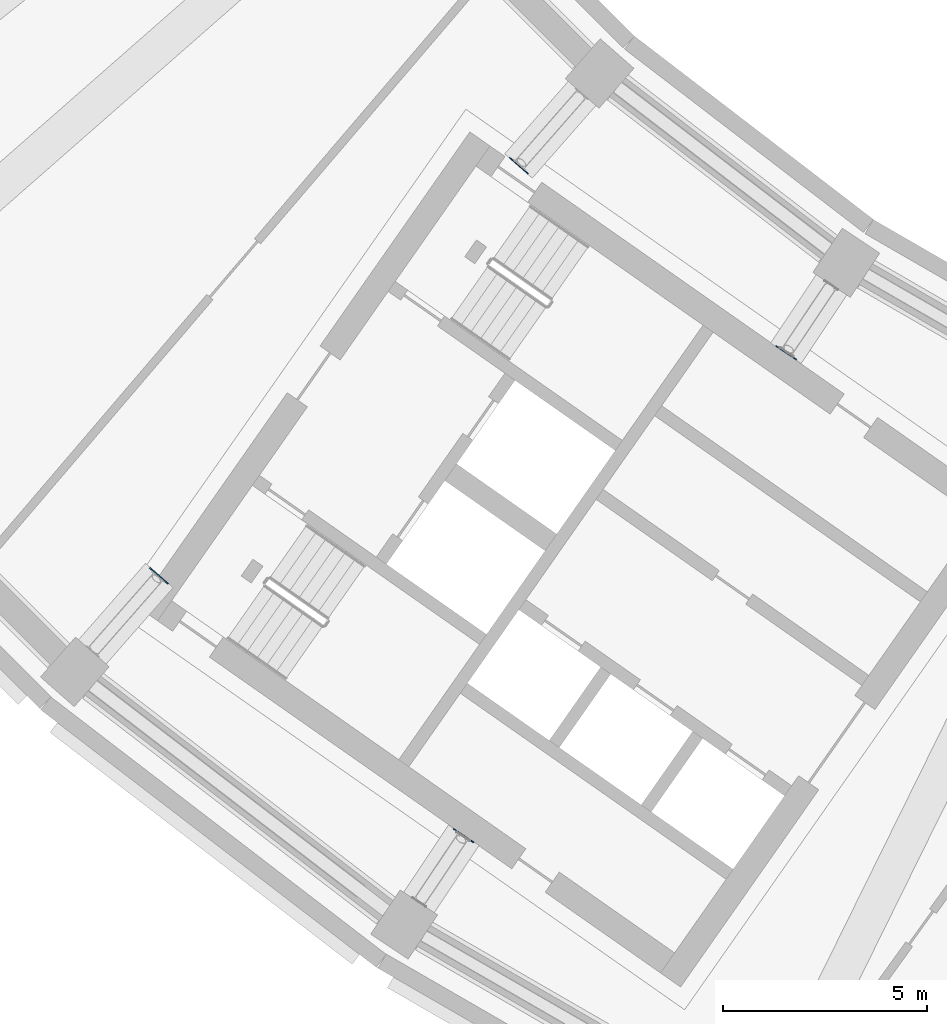
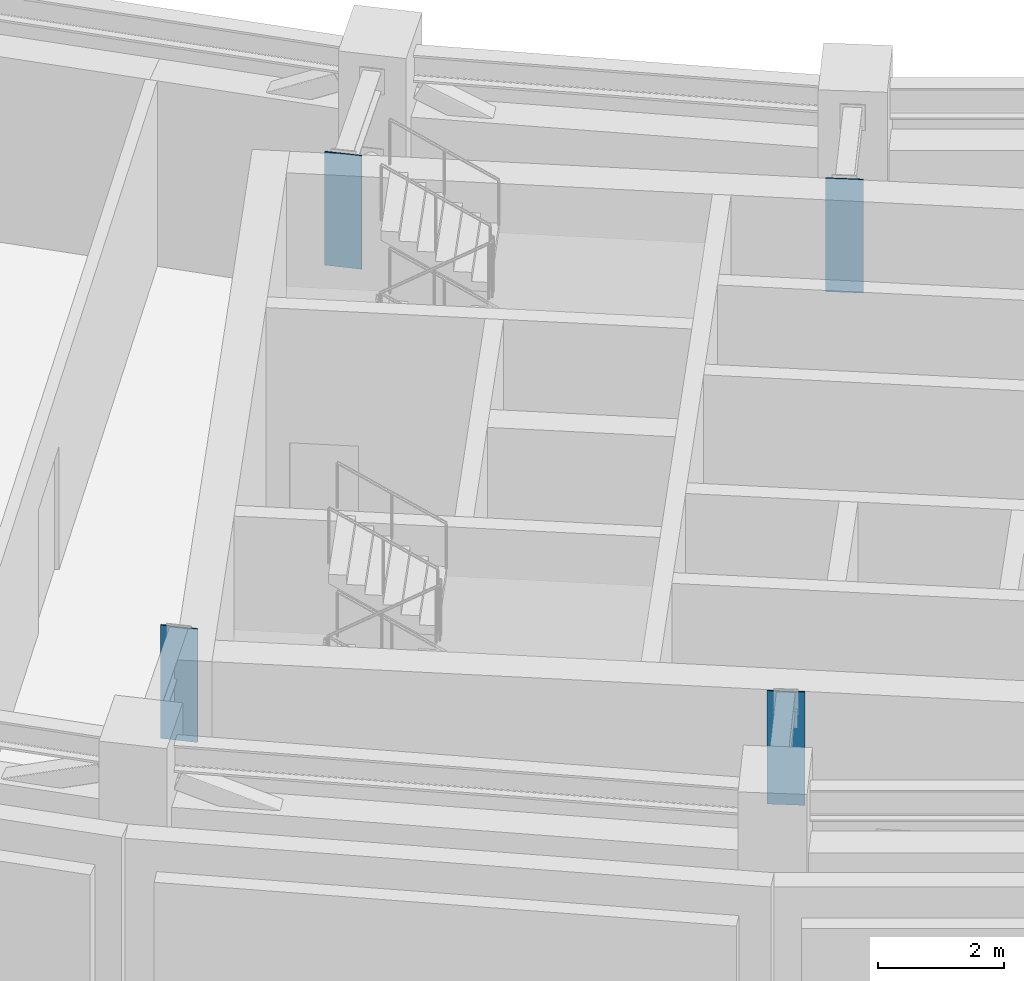
# One storey, part 9 of 24: 4 discrete accessories.
"""IFC4 building model written with IfcOpenShell, lengths in metres."""

from ifc_helpers import new_model, si_unit, direction, frame, origin, origin_2d, place, context, subcontext, project, spatial, rectangle, extrude, material, layer, layer_set, type_object, element, save


model = new_model("IFC4")

# Units and contexts
model_context = context("Model", 3, precision=1e-05, world=origin(), true_north=direction((0.0, 1.0)))
body_context = subcontext(model_context, "Body", "Model", "MODEL_VIEW")
ifc_project = project(units=[si_unit("LENGTHUNIT", "METRE"), si_unit("AREAUNIT", "SQUARE_METRE"), si_unit("VOLUMEUNIT", "CUBIC_METRE"), si_unit("PLANEANGLEUNIT", "RADIAN"), si_unit("MASSUNIT", "GRAM", prefix="KILO")], contexts=[model_context])

# Site, building, storey
site_placement = place(None, origin())
site = spatial("IfcSite", under=ifc_project, at=site_placement, CompositionType="ELEMENT")
building_placement = place(site_placement, origin())
building = spatial("IfcBuilding", under=site, at=building_placement, Name="Qamariyya Broadcast Tower", CompositionType="ELEMENT")
storey_placement = place(building_placement, frame((0.0, 0.0, 198.699951171875)))
storey = spatial("IfcBuildingStorey", under=building, at=storey_placement, Name="L47", CompositionType="ELEMENT", Elevation=198.699951171875)

# Discrete accessories
ifc_material = material(Name="Steel S355", Category="steel")
ifc_layer = layer(ifc_material, 0.02490234375)
ifc_layer_set = layer_set([ifc_layer], Name="Cast-in plate 25 Steel S355")
discrete_accessory_type = type_object("IfcDiscreteAccessoryType", Name="Cast-in plate 25 Steel S355", PredefinedType="ANCHORPLATE", material=ifc_layer_set)
for number, where, z_axis, x_axis, name in (
    (1, (-40.385986328125, -46.051513671875, 2.5), (0.0, 0.0, 1.0), (-0.751839807479, 0.6593458151, 0.0), "Cast-in plate CP1 L47 R05"),
    (2, (-49.20263671875, -56.10498046875, 2.5), (0.0, 0.0, 1.0), (-0.751839807479, 0.6593458151, 0.0), "Cast-in plate CP1 L47 R05"),
    (3, (-33.83544921875, -50.63818359375, 2.5), (0.0, 0.0, 1.0), (-0.831469612303, 0.55557023302, 0.0), "Cast-in plate CP1 L47 R06"),
    (4, (-41.740234375, -62.468505859375, 2.5), (0.0, 0.0, 1.0), (-0.831469612303, 0.55557023302, 0.0), "Cast-in plate CP1 L47 R06"),
):
    element("IfcDiscreteAccessory", number, at=place(storey_placement, frame(where, z_axis=z_axis, x_axis=x_axis)), inside=storey, type_object=discrete_accessory_type, Name=name, PredefinedType="ANCHORPLATE", context=body_context, shape_type="SweptSolid", body=[
        extrude(rectangle(XDim=0.60009765625, YDim=0.02490234375, at=origin_2d()), origin(), (0.0, 0.0, 1.0), 2.199951171875),
    ])

save(model, "model.ifc")
